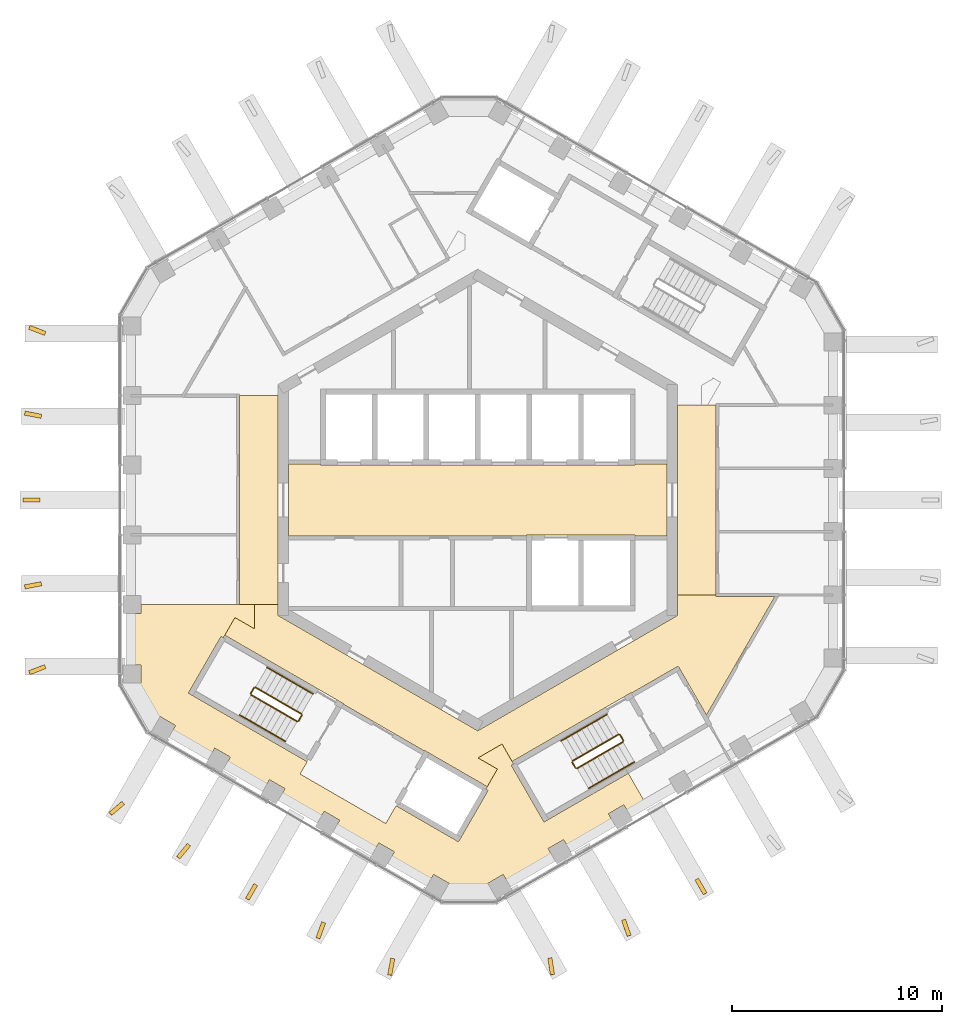
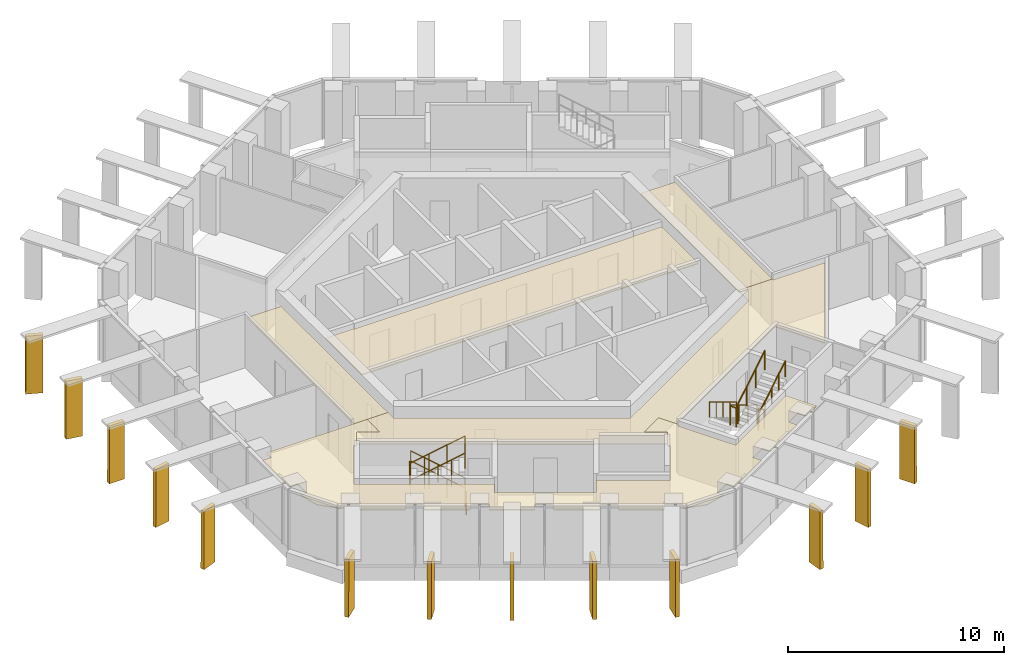
# One storey, part 16 of 18: 16 railings, 13 shading devices, 5 coverings.
"""IFC4 building model written with IfcOpenShell, lengths in metres."""

from ifc_helpers import new_model, si_unit, direction, frame, origin, origin_2d, place, context, subcontext, project, spatial, polyline, circle, outline, extrude, material, layer, layer_set, type_object, element, save


model = new_model("IFC4")

# Units and contexts
model_context = context("Model", 3, precision=1e-05, world=origin(), true_north=direction((0.0, 1.0)))
body_context = subcontext(model_context, "Body", "Model", "MODEL_VIEW")
ifc_project = project(units=[si_unit("LENGTHUNIT", "METRE"), si_unit("AREAUNIT", "SQUARE_METRE"), si_unit("VOLUMEUNIT", "CUBIC_METRE"), si_unit("PLANEANGLEUNIT", "RADIAN"), si_unit("MASSUNIT", "GRAM", prefix="KILO")], contexts=[model_context])

# Site, building, storey
site_placement = place(None, origin())
site = spatial("IfcSite", under=ifc_project, at=site_placement, CompositionType="ELEMENT")
building_placement = place(site_placement, origin())
building = spatial("IfcBuilding", under=site, at=building_placement, Name="Ayvan Gate Tower", CompositionType="ELEMENT")
storey_placement = place(building_placement, frame((0.0, 0.0, 242.699951171875)))
storey = spatial("IfcBuildingStorey", under=building, at=storey_placement, Name="L65", CompositionType="ELEMENT", Elevation=242.699951171875)

# Coverings
ifc_material_1 = material(Name="Plasterboard suspended ceiling")
ifc_layer_1 = layer(ifc_material_1, 0.050048828125)
ifc_layer_set_1 = layer_set([ifc_layer_1], Name="Plasterboard suspended ceiling")
covering_type = type_object("IfcCoveringType", Name="CT-SUSP-50", PredefinedType="CEILING", material=ifc_layer_set_1)
covering_1_placement = place(storey_placement, frame((0.0, 0.0, 2.699951171875)))
element("IfcCovering", 1, at=covering_1_placement, inside=storey, type_object=covering_type, Name="Ceiling Lift Lobby L65", PredefinedType="CEILING", context=body_context, shape_type="SweptSolid", body=[
    extrude(outline(polyline([(7.47509765625, -1.675048828125), (2.324951171875, -1.675048828125), (2.324951171875, -1.699951171875), (-9.0, -1.699951171875), (-9.0, 1.699951171875), (-7.47509765625, 1.699951171875), (-7.47509765625, 1.675048828125), (7.47509765625, 1.675048828125), (7.47509765625, 1.699951171875), (9.0, 1.699951171875), (9.0, -1.699951171875), (7.47509765625, -1.699951171875), (7.47509765625, -1.675048828125)])), origin(), (0.0, 0.0, 1.0), 0.050048828125),
])
covering_2_placement = place(storey_placement, frame((0.0, 0.0, 2.699951171875)))
element("IfcCovering", 2, at=covering_2_placement, inside=storey, type_object=covering_type, Name="Ceiling Gallery L65", PredefinedType="CEILING", context=body_context, shape_type="SweptSolid", body=[
    extrude(outline(polyline([(-4.66748046875, -8.27490234375), (0.0, -10.9697265625), (4.66748046875, -8.27490234375), (8.38720703125, -6.127197265625), (9.5, -5.48486328125), (9.5, -4.52294921875), (11.324951171875, -4.52294921875), (11.324951171875, -4.597900390625), (14.11279296875, -4.597900390625), (10.8662109375, -10.220947265625), (9.623779296875, -8.069091796875), (9.52392578125, -7.89599609375), (7.2939453125, -9.183349609375), (7.281494140625, -9.16162109375), (1.630615234375, -12.42431640625), (1.153076171875, -11.59716796875), (0.010009765625, -12.257080078125), (0.930419921875, -12.78857421875), (0.447998046875, -13.624267578125), (-2.284423828125, -12.046630859375), (-2.518310546875, -11.91162109375), (-2.53076171875, -11.933349609375), (-6.384521484375, -9.70849609375), (-6.3720703125, -9.686767578125), (-12.02294921875, -6.42431640625), (-11.540283203125, -5.58837890625), (-10.6201171875, -6.119873046875), (-10.6201171875, -4.95458984375), (-9.5, -4.95458984375), (-9.5, -5.48486328125), (-4.66748046875, -8.27490234375)])), origin(), (0.0, 0.0, 1.0), 0.050048828125),
])
covering_3_placement = place(storey_placement, frame((0.0, 0.0, 2.699951171875)))
element("IfcCovering", 3, at=covering_3_placement, inside=storey, type_object=covering_type, Name="Ceiling Lift Lounge Lobby L65", PredefinedType="CEILING", context=body_context, shape_type="SweptSolid", body=[
    extrude(outline(polyline([(11.324951171875, -4.52294921875), (9.5, -4.52294921875), (9.5, 4.52294921875), (11.324951171875, 4.52294921875), (11.324951171875, -4.447998046875), (11.324951171875, -4.447998046875), (11.324951171875, -4.52294921875)])), origin(), (0.0, 0.0, 1.0), 0.050048828125),
])
covering_4_placement = place(storey_placement, frame((0.0, 0.0, 2.699951171875)))
element("IfcCovering", 4, at=covering_4_placement, inside=storey, type_object=covering_type, Name="Ceiling Lift Lounge Lobby L65", PredefinedType="CEILING", context=body_context, shape_type="SweptSolid", body=[
    extrude(outline(polyline([(-11.324951171875, 4.95458984375), (-9.5, 4.95458984375), (-9.5, -4.95458984375), (-11.324951171875, -4.95458984375), (-11.324951171875, 4.95458984375)])), origin(), (0.0, 0.0, 1.0), 0.050048828125),
])
covering_5_placement = place(storey_placement, frame((0.0, 0.0, 2.699951171875)))
element("IfcCovering", 5, at=covering_5_placement, inside=storey, type_object=covering_type, Name="Ceiling Social Lounge L65", PredefinedType="CEILING", context=body_context, shape_type="SweptSolid", body=[
    extrude(outline(polyline([(-13.53955078125, -9.301513671875), (-8.106201171875, -12.438232421875), (-8.444091796875, -13.023681640625), (-4.3720703125, -15.374755859375), (-3.88427734375, -14.529541015625), (-0.9189453125, -16.24169921875), (-0.803955078125, -16.042236328125), (0.483642578125, -13.812255859375), (0.376220703125, -13.750244140625), (0.38671875, -13.732177734375), (0.931640625, -12.7880859375), (0.011962890625, -12.257080078125), (1.152587890625, -11.5986328125), (1.691650390625, -12.531982421875), (1.7021484375, -12.55029296875), (1.5947265625, -12.6123046875), (3.147216796875, -15.30126953125), (3.346435546875, -15.186279296875), (7.15185546875, -12.9892578125), (7.975341796875, -14.415771484375), (7.1708984375, -14.880126953125), (6.943603515625, -14.486572265625), (6.20751953125, -14.91162109375), (6.434814453125, -15.30517578125), (4.30419921875, -16.53515625), (4.076904296875, -16.141357421875), (3.3408203125, -16.56640625), (3.568115234375, -16.960205078125), (1.437744140625, -18.190185546875), (1.21044921875, -17.79638671875), (0.474365234375, -18.221435546875), (0.642333984375, -18.5126953125), (-0.415283203125, -18.7958984375), (-1.524658203125, -18.498779296875), (-1.364501953125, -18.221435546875), (-2.1005859375, -17.79638671875), (-2.313232421875, -18.16455078125), (-4.176513671875, -17.088623046875), (-3.964111328125, -16.720703125), (-4.7001953125, -16.295654296875), (-4.91259765625, -16.663818359375), (-6.77587890625, -15.587890625), (-6.5634765625, -15.2197265625), (-7.299560546875, -14.794921875), (-7.51220703125, -15.162841796875), (-9.37548828125, -14.087158203125), (-9.162841796875, -13.718994140625), (-9.89892578125, -13.2939453125), (-10.111572265625, -13.662109375), (-11.974853515625, -12.586181640625), (-11.762451171875, -12.21826171875), (-12.49853515625, -11.793212890625), (-12.7109375, -12.161376953125), (-14.57421875, -11.08544921875), (-14.36181640625, -10.71728515625), (-15.097900390625, -10.29248046875), (-15.258056640625, -10.56982421875), (-16.070068359375, -9.7578125), (-16.353515625, -8.699951171875), (-16.017333984375, -8.699951171875), (-16.017333984375, -7.849853515625), (-16.47216796875, -7.849853515625), (-16.47216796875, -5.389892578125), (-16.017333984375, -5.389892578125), (-16.017333984375, -4.955810546875), (-10.62109375, -4.955810546875), (-10.62109375, -6.1181640625), (-11.540771484375, -5.587158203125), (-12.09619140625, -6.54931640625), (-12.20361328125, -6.4873046875), (-13.756103515625, -9.17626953125), (-13.53955078125, -9.30126953125), (-13.53955078125, -9.301513671875)])), origin(), (0.0, 0.0, 1.0), 0.050048828125),
])

# Shading devices
ifc_material_2 = material(Name="Bronze anodised aluminium", Category="aluminium")
ifc_layer_2 = layer(ifc_material_2, 0.199951171875)
ifc_layer_set_2 = layer_set([ifc_layer_2], Name="Bronze anodised aluminium")
shading_device_type = type_object("IfcShadingDeviceType", Name="Crown frame rib 800 x 200", PredefinedType="USERDEFINED", material=ifc_layer_set_2)
shading_device_1_placement = place(storey_placement, frame((-20.530517578125, 8.012939453125, 0.0), z_axis=(0.359469754605, 0.933156629527, 0.000447541994), x_axis=(-0.93315672298, 0.359469790605, 0.0)))
element("IfcShadingDevice", 6, at=shading_device_1_placement, inside=storey, type_object=shading_device_type, Name="CROWN FRAME rib FR03.4.1", ObjectType="FIN", PredefinedType="USERDEFINED", context=body_context, shape_type="SweptSolid", body=[
    extrude(outline(polyline([(0.0, 0.0), (0.8000607109875282, -1.3552527156068805e-20), (0.7916463657921464, 3.280029625359876), (-0.008414345195381881, 3.280029625359876), (0.0, 0.0)])), origin(), (0.0, 0.0, -1.0), 0.199951171875),
])
shading_device_2_placement = place(storey_placement, frame((-20.728759765625, 4.0771484375, 0.0), z_axis=(0.188304007129, 0.982110688721, 0.000442717085), x_axis=(-0.982110784967, 0.188304025583, 0.0)))
element("IfcShadingDevice", 7, at=shading_device_2_placement, inside=storey, type_object=shading_device_type, Name="CROWN FRAME rib FR03.4.2", ObjectType="FIN", PredefinedType="USERDEFINED", context=body_context, shape_type="SweptSolid", body=[
    extrude(outline(polyline([(0.0, 0.0), (0.7999551000512035, 0.0), (0.7919704607345573, 3.2800296183153232), (-0.007984639316646109, 3.2800296183153232), (0.0, 0.0)])), origin(), (0.0, 0.0, -1.0), 0.199951171875),
])
shading_device_3_placement = place(storey_placement, frame((-20.813720703125, 0.099853515625, 0.0), z_axis=(0.0, 0.999999900277, 0.000446594671), x_axis=(-1.0, 0.0, 0.0)))
element("IfcShadingDevice", 8, at=shading_device_3_placement, inside=storey, type_object=shading_device_type, Name="CROWN FRAME rib FR03.4.3", ObjectType="FIN", PredefinedType="USERDEFINED", context=body_context, shape_type="SweptSolid", body=[
    extrude(outline(polyline([(0.0, 0.0), (0.800048828125, 0.0), (0.79248046875, 3.280029623970722), (-0.007568359375, 3.280029623970722), (0.0, 0.0)])), origin(), (0.0, 0.0, -1.0), 0.199951171875),
])
shading_device_4_placement = place(storey_placement, frame((-20.766357421875, -3.880859375, 0.0), z_axis=(-0.188451187738, 0.982082465008, 0.000426337772), x_axis=(-0.982082554256, -0.188451204892, 6.3888e-08)))
element("IfcShadingDevice", 9, at=shading_device_4_placement, inside=storey, type_object=shading_device_type, Name="CROWN FRAME rib FR03.4.4", ObjectType="FIN", PredefinedType="USERDEFINED", context=body_context, shape_type="SweptSolid", body=[
    extrude(outline(polyline([(0.0, 0.0), (0.8000010996631616, 0.0), (0.7920430144199427, 3.2800295443682232), (-0.007912076648274364, 3.280029646586692), (0.0, 0.0)])), origin(), (0.0, 0.0, -1.0), 0.199951171875),
])
shading_device_5_placement = place(storey_placement, frame((-20.6025390625, -7.826416015625, 0.0), z_axis=(-0.359336876853, 0.93320778719, 0.000484625238), x_axis=(-0.933207896765, -0.359336919081, 6.9004e-08)))
element("IfcShadingDevice", 10, at=shading_device_5_placement, inside=storey, type_object=shading_device_type, Name="CROWN FRAME rib FR03.4.5", ObjectType="FIN", PredefinedType="USERDEFINED", context=body_context, shape_type="SweptSolid", body=[
    extrude(outline(polyline([(0.0, 0.0), (0.8000607028774716, 0.0), (0.7914726394601074, 3.2800296274371386), (-0.008500334677354152, 3.280029737845172), (0.0, 0.0)])), origin(), (0.0, 0.0, -1.0), 0.199951171875),
])
shading_device_6_placement = place(storey_placement, frame((-16.92138671875, -14.3232421875, 0.0), z_axis=(-0.649621792989, 0.760257404903, 0.000452066512), x_axis=(-0.760257482603, -0.649621859351, -5.2452e-08)))
element("IfcShadingDevice", 11, at=shading_device_6_placement, inside=storey, type_object=shading_device_type, Name="CROWN FRAME rib FR03.5.1", ObjectType="FIN", PredefinedType="USERDEFINED", context=body_context, shape_type="SweptSolid", body=[
    extrude(outline(polyline([(0.0, 0.0), (0.7998527113921328, -2.710505431213761e-20), (0.7912438539401772, 3.280029673537646), (-0.008767456538711265, 3.280029589621381), (0.0, 0.0)])), origin(), (0.0, 0.0, -1.0), 0.199951171875),
])
shading_device_7_placement = place(storey_placement, frame((-13.8046875, -16.32177734375, 0.0), z_axis=(-0.766617832833, 0.642103471449, 0.000479932323), x_axis=(-0.642103545399, -0.766617921123, 0.0)))
element("IfcShadingDevice", 12, at=shading_device_7_placement, inside=storey, type_object=shading_device_type, Name="CROWN FRAME rib FR03.5.2", ObjectType="FIN", PredefinedType="USERDEFINED", context=body_context, shape_type="SweptSolid", body=[
    extrude(outline(polyline([(0.0, 0.0), (0.7999829290476004, 0.0), (0.7919766623181221, 3.280029674627895), (-0.008006266729478264, 3.280029674627895), (0.0, 0.0)])), origin(), (0.0, 0.0, -1.0), 0.199951171875),
])
shading_device_8_placement = place(storey_placement, frame((-10.641845703125, -18.232177734375, 0.0), z_axis=(-0.866027965094, 0.499995356169, 0.000455505571), x_axis=(-0.499995408016, -0.866028054952, 6.0193e-08)))
element("IfcShadingDevice", 13, at=shading_device_8_placement, inside=storey, type_object=shading_device_type, Name="CROWN FRAME rib FR03.5.3", ObjectType="FIN", PredefinedType="USERDEFINED", context=body_context, shape_type="SweptSolid", body=[
    extrude(outline(polyline([(0.0, 0.0), (0.7999951411821995, 2.710505431213761e-20), (0.792146069833364, 3.2800295894721225), (-0.007971140540245612, 3.2800296857882114), (0.0, 0.0)])), origin(), (0.0, 0.0, -1.0), 0.199951171875),
])
shading_device_9_placement = place(storey_placement, frame((-7.42041015625, -20.047607421875, 0.0), z_axis=(-0.939329133735, 0.343016876647, 0.000448165676), x_axis=(-0.343016911094, -0.939329228068, 0.0)))
element("IfcShadingDevice", 14, at=shading_device_9_placement, inside=storey, type_object=shading_device_type, Name="CROWN FRAME rib FR03.5.4", ObjectType="FIN", PredefinedType="USERDEFINED", context=body_context, shape_type="SweptSolid", body=[
    extrude(outline(polyline([(0.0, 0.0), (0.8000015556797161, -1.3552527156068805e-20), (0.7919273771878743, 3.280029626276047), (-0.008074178491841723, 3.280029626276047), (0.0, 0.0)])), origin(), (0.0, 0.0, -1.0), 0.199951171875),
])
shading_device_10_placement = place(storey_placement, frame((-4.14013671875, -21.779541015625, 0.0), z_axis=(-0.983236341521, 0.182335106784, 0.000453372582), x_axis=(-0.182335125493, -0.983236442577, 6.8019e-08)))
element("IfcShadingDevice", 15, at=shading_device_10_placement, inside=storey, type_object=shading_device_type, Name="CROWN FRAME rib FR03.5.5", ObjectType="FIN", PredefinedType="USERDEFINED", context=body_context, shape_type="SweptSolid", body=[
    extrude(outline(polyline([(0.0, 0.0), (0.8000102265386648, 0.0), (0.7913146340768397, 3.280029580150536), (-0.008740107873322458, 3.280029688984727), (0.0, 0.0)])), origin(), (0.0, 0.0, -1.0), 0.199951171875),
])
shading_device_11_placement = place(storey_placement, frame((3.325927734375, -21.78662109375, 0.0), z_axis=(-0.987861657554, -0.155335676149, 0.000416232552), x_axis=(0.155335689605, -0.987861743127, 0.0)))
element("IfcShadingDevice", 16, at=shading_device_11_placement, inside=storey, type_object=shading_device_type, Name="CROWN FRAME rib FR03.6.1", ObjectType="FIN", PredefinedType="USERDEFINED", context=body_context, shape_type="SweptSolid", body=[
    extrude(outline(polyline([(0.0, 0.0), (0.7999937325470513, 0.0), (0.7913113539453448, 3.2800295810068167), (-0.008682378601706488, 3.2800295810068167), (0.0, 0.0)])), origin(), (0.0, 0.0, -1.0), 0.199951171875),
])
shading_device_12_placement = place(storey_placement, frame((6.83349609375, -19.990234375, 0.0), z_axis=(-0.944657153829, -0.328058937285, 0.000442026773), x_axis=(0.328058969344, -0.944657246113, 2.213e-08)))
element("IfcShadingDevice", 17, at=shading_device_12_placement, inside=storey, type_object=shading_device_type, Name="CROWN FRAME rib FR03.6.2", ObjectType="FIN", PredefinedType="USERDEFINED", context=body_context, shape_type="SweptSolid", body=[
    extrude(outline(polyline([(0.0, 0.0), (0.7998968673738162, -1.3552527156068805e-20), (0.7921163426157273, 3.2800295997843474), (-0.008011153968565611, 3.28002963519249), (0.0, 0.0)])), origin(), (0.0, 0.0, -1.0), 0.199951171875),
])
shading_device_13_placement = place(storey_placement, frame((10.3203125, -18.0751953125, 0.0), z_axis=(-0.866027971243, -0.499995359719, 0.000439640275), x_axis=(0.499995408061, -0.866028054925, 5.8088e-08)))
element("IfcShadingDevice", 18, at=shading_device_13_placement, inside=storey, type_object=shading_device_type, Name="CROWN FRAME rib FR03.6.3", ObjectType="FIN", PredefinedType="USERDEFINED", context=body_context, shape_type="SweptSolid", body=[
    extrude(outline(polyline([(0.0, 0.0), (0.8001172103736153, -5.421010862427522e-20), (0.7924316608801559, 3.2800295678322273), (-0.0075634803020381705, 3.2800296607794364), (0.0, 0.0)])), origin(), (0.0, 0.0, -1.0), 0.199951171875),
])

# Railings
ifc_material_3 = material(Name="Stainless steel balustrade", Category="steel")
railing_type_1 = type_object("IfcRailingType", Name="RL-GUARD-1100", PredefinedType="GUARDRAIL", material=ifc_material_3)
railing_1_placement = place(storey_placement, frame((-8.381103515625, -10.16650390625, 0.170166015625)))
element("IfcRailing", 19, at=railing_1_placement, inside=storey, type_object=railing_type_1, Name="L65 STS2 stair guard 1", PredefinedType="GUARDRAIL", context=body_context, shape_type="SweptSolid", body=[
    extrude(circle(Radius=0.02392578125, at=origin_2d()), frame((0.0, 0.0, 1.076171875), z_axis=(-0.740292969978, 0.427413806696, 0.51892557891), x_axis=(-0.500004791531, -0.866022637375, 0.0)), (0.0, 0.0, 1.0), 2.947998046875),
    extrude(circle(Radius=0.02099609375, at=origin_2d()), origin(), (0.0, 0.0, 1.0), 1.052001953125),
    extrude(circle(Radius=0.02099609375, at=origin_2d()), frame((-0.7275390625, 0.419921875, 0.510009765625)), (0.0, 0.0, 1.0), 1.052001953125),
    extrude(circle(Radius=0.02099609375, at=origin_2d()), frame((-1.454833984375, 0.840087890625, 1.019775390625)), (0.0, 0.0, 1.0), 1.052001953125),
    extrude(circle(Radius=0.02099609375, at=origin_2d()), frame((-2.182373046875, 1.260009765625, 1.52978515625)), (0.0, 0.0, 1.0), 1.052001953125),
])
railing_2_placement = place(storey_placement, frame((-10.6318359375, -8.9248046875, 1.699951171875)))
element("IfcRailing", 20, at=railing_2_placement, inside=storey, type_object=railing_type_1, Name="L65 STS2 stair guard 2", PredefinedType="GUARDRAIL", context=body_context, shape_type="SweptSolid", body=[
    extrude(circle(Radius=0.02392578125, at=origin_2d()), frame((0.0, 0.0, 1.076171875), z_axis=(-0.499949632511, -0.866054481515, 0.0), x_axis=(0.866054481515, -0.499949632511, 0.0)), (0.0, 0.0, 1.0), 0.31005859375),
    extrude(circle(Radius=0.02099609375, at=origin_2d()), origin(), (0.0, 0.0, 1.0), 1.052001953125),
    extrude(circle(Radius=0.02099609375, at=origin_2d()), frame((-0.155029296875, -0.2685546875, 0.0)), (0.0, 0.0, 1.0), 1.052001953125),
])
railing_3_placement = place(storey_placement, frame((-10.7685546875, -9.261474609375, 1.8701171875)))
element("IfcRailing", 21, at=railing_3_placement, inside=storey, type_object=railing_type_1, Name="L65 STS2 stair guard 3", PredefinedType="GUARDRAIL", context=body_context, shape_type="SweptSolid", body=[
    extrude(circle(Radius=0.02392578125, at=origin_2d()), frame((0.0, 0.0, 1.076171875), z_axis=(0.740261155115, -0.427395438142, 0.518986090067), x_axis=(0.500004791531, 0.866022637375, 0.0)), (0.0, 0.0, 1.0), 2.947998046875),
    extrude(circle(Radius=0.02099609375, at=origin_2d()), origin(), (0.0, 0.0, 1.0), 1.052001953125),
    extrude(circle(Radius=0.02099609375, at=origin_2d()), frame((0.7275390625, -0.419921875, 0.510009765625)), (0.0, 0.0, 1.0), 1.052001953125),
    extrude(circle(Radius=0.02099609375, at=origin_2d()), frame((1.454833984375, -0.840087890625, 1.02001953125)), (0.0, 0.0, 1.0), 1.052001953125),
    extrude(circle(Radius=0.02099609375, at=origin_2d()), frame((2.182373046875, -1.260009765625, 1.530029296875)), (0.0, 0.0, 1.0), 1.052001953125),
])
railing_4_placement = place(storey_placement, frame((-8.36279296875, -10.23486328125, 0.0)))
element("IfcRailing", 22, at=railing_4_placement, inside=storey, type_object=railing_type_1, Name="L65 STS2 stair guard 4", PredefinedType="GUARDRAIL", context=body_context, shape_type="SweptSolid", body=[
    extrude(circle(Radius=0.02392578125, at=origin_2d()), frame((0.0, 0.0, 1.076171875), z_axis=(-0.500290723946, -0.86585748916, 0.0), x_axis=(0.86585748916, -0.500290723946, 0.0)), (0.0, 0.0, 1.0), 0.309814453125),
    extrude(circle(Radius=0.02099609375, at=origin_2d()), origin(), (0.0, 0.0, 1.0), 1.052001953125),
    extrude(circle(Radius=0.02099609375, at=origin_2d()), frame((-0.155029296875, -0.268310546875, 0.0)), (0.0, 0.0, 1.0), 1.052001953125),
])
railing_5_placement = place(storey_placement, frame((6.6923828125, -11.1416015625, 0.170166015625)))
element("IfcRailing", 23, at=railing_5_placement, inside=storey, type_object=railing_type_1, Name="L65 STS3 stair guard 1", PredefinedType="GUARDRAIL", context=body_context, shape_type="SweptSolid", body=[
    extrude(circle(Radius=0.02392578125, at=origin_2d()), frame((0.0, 0.0, 1.076171875), z_axis=(-0.740292969978, -0.427413806696, 0.51892557891), x_axis=(0.500004791531, -0.866022637375, 0.0)), (0.0, 0.0, 1.0), 2.947998046875),
    extrude(circle(Radius=0.02099609375, at=origin_2d()), origin(), (0.0, 0.0, 1.0), 1.052001953125),
    extrude(circle(Radius=0.02099609375, at=origin_2d()), frame((-0.7275390625, -0.419921875, 0.510009765625)), (0.0, 0.0, 1.0), 1.052001953125),
    extrude(circle(Radius=0.02099609375, at=origin_2d()), frame((-1.454833984375, -0.840087890625, 1.019775390625)), (0.0, 0.0, 1.0), 1.052001953125),
    extrude(circle(Radius=0.02099609375, at=origin_2d()), frame((-2.182373046875, -1.260009765625, 1.52978515625)), (0.0, 0.0, 1.0), 1.052001953125),
])
railing_6_placement = place(storey_placement, frame((4.49169921875, -12.4697265625, 1.699951171875)))
element("IfcRailing", 24, at=railing_6_placement, inside=storey, type_object=railing_type_1, Name="L65 STS3 stair guard 2", PredefinedType="GUARDRAIL", context=body_context, shape_type="SweptSolid", body=[
    extrude(circle(Radius=0.02392578125, at=origin_2d()), frame((0.0, 0.0, 1.076171875), z_axis=(0.499949632511, -0.866054481515, 0.0), x_axis=(0.866054481515, 0.499949632511, 0.0)), (0.0, 0.0, 1.0), 0.31005859375),
    extrude(circle(Radius=0.02099609375, at=origin_2d()), origin(), (0.0, 0.0, 1.0), 1.052001953125),
    extrude(circle(Radius=0.02099609375, at=origin_2d()), frame((0.155029296875, -0.2685546875, 0.0)), (0.0, 0.0, 1.0), 1.052001953125),
])
railing_7_placement = place(storey_placement, frame((4.715087890625, -12.756591796875, 1.8701171875)))
element("IfcRailing", 25, at=railing_7_placement, inside=storey, type_object=railing_type_1, Name="L65 STS3 stair guard 3", PredefinedType="GUARDRAIL", context=body_context, shape_type="SweptSolid", body=[
    extrude(circle(Radius=0.02392578125, at=origin_2d()), frame((0.0, 0.0, 1.076171875), z_axis=(0.740261155115, 0.427395438142, 0.518986090067), x_axis=(-0.500004791531, 0.866022637375, 0.0)), (0.0, 0.0, 1.0), 2.947998046875),
    extrude(circle(Radius=0.02099609375, at=origin_2d()), origin(), (0.0, 0.0, 1.0), 1.052001953125),
    extrude(circle(Radius=0.02099609375, at=origin_2d()), frame((0.7275390625, 0.419921875, 0.510009765625)), (0.0, 0.0, 1.0), 1.052001953125),
    extrude(circle(Radius=0.02099609375, at=origin_2d()), frame((1.454833984375, 0.840087890625, 1.02001953125)), (0.0, 0.0, 1.0), 1.052001953125),
    extrude(circle(Radius=0.02099609375, at=origin_2d()), frame((2.182373046875, 1.260009765625, 1.530029296875)), (0.0, 0.0, 1.0), 1.052001953125),
])
railing_8_placement = place(storey_placement, frame((6.7607421875, -11.159912109375, 0.0)))
element("IfcRailing", 26, at=railing_8_placement, inside=storey, type_object=railing_type_1, Name="L65 STS3 stair guard 4", PredefinedType="GUARDRAIL", context=body_context, shape_type="SweptSolid", body=[
    extrude(circle(Radius=0.02392578125, at=origin_2d()), frame((0.0, 0.0, 1.076171875), z_axis=(0.500290723946, -0.86585748916, 0.0), x_axis=(0.86585748916, 0.500290723946, 0.0)), (0.0, 0.0, 1.0), 0.309814453125),
    extrude(circle(Radius=0.02099609375, at=origin_2d()), origin(), (0.0, 0.0, 1.0), 1.052001953125),
    extrude(circle(Radius=0.02099609375, at=origin_2d()), frame((0.155029296875, -0.268310546875, 0.0)), (0.0, 0.0, 1.0), 1.052001953125),
])
railing_type_2 = type_object("IfcRailingType", Name="RL-HANDRAIL-900", PredefinedType="HANDRAIL", material=ifc_material_3)
railing_9_placement = place(storey_placement, frame((-7.8310546875, -9.2138671875, 0.170166015625)))
element("IfcRailing", 27, at=railing_9_placement, inside=storey, type_object=railing_type_2, Name="L65 STS2 stair handrail 1", PredefinedType="HANDRAIL", context=body_context, shape_type="SweptSolid", body=[
    extrude(circle(Radius=0.02392578125, at=origin_2d()), frame((0.0, 0.0, 0.8759765625), z_axis=(-0.740356597536, 0.427319915356, 0.518912129772), x_axis=(-0.499890179513, -0.866088799389, 0.0)), (0.0, 0.0, 1.0), 1.47412109375),
    extrude(circle(Radius=0.02099609375, at=origin_2d()), origin(), (0.0, 0.0, 1.0), 0.851806640625),
    extrude(circle(Radius=0.02099609375, at=origin_2d()), frame((-0.545654296875, 0.31494140625, 0.38232421875)), (0.0, 0.0, 1.0), 0.851806640625),
    extrude(circle(Radius=0.02099609375, at=origin_2d()), frame((-1.09130859375, 0.6298828125, 0.764892578125)), (0.0, 0.0, 1.0), 0.851806640625),
])
railing_10_placement = place(storey_placement, frame((-8.92236328125, -8.583984375, 0.93505859375)))
element("IfcRailing", 28, at=railing_10_placement, inside=storey, type_object=railing_type_2, Name="L65 STS2 stair handrail 2", PredefinedType="HANDRAIL", context=body_context, shape_type="SweptSolid", body=[
    extrude(circle(Radius=0.02392578125, at=origin_2d()), frame((0.0, 0.0, 0.8759765625), z_axis=(-0.740229329464, 0.427507697325, 0.518939021976), x_axis=(-0.50011940292, -0.865956455501, 0.0)), (0.0, 0.0, 1.0), 1.473876953125),
    extrude(circle(Radius=0.02099609375, at=origin_2d()), origin(), (0.0, 0.0, 1.0), 0.851806640625),
    extrude(circle(Radius=0.02099609375, at=origin_2d()), frame((-0.54541015625, 0.31494140625, 0.38232421875)), (0.0, 0.0, 1.0), 0.851806640625),
    extrude(circle(Radius=0.02099609375, at=origin_2d()), frame((-1.091064453125, 0.630126953125, 0.764892578125)), (0.0, 0.0, 1.0), 0.851806640625),
])
railing_11_placement = place(storey_placement, frame((-11.318603515625, -10.214111328125, 1.8701171875)))
element("IfcRailing", 29, at=railing_11_placement, inside=storey, type_object=railing_type_2, Name="L65 STS2 stair handrail 3", PredefinedType="HANDRAIL", context=body_context, shape_type="SweptSolid", body=[
    extrude(circle(Radius=0.02392578125, at=origin_2d()), frame((0.0, 0.0, 0.8759765625), z_axis=(0.740304193401, -0.427455284825, 0.518875399983), x_axis=(0.500035496587, 0.86600490885, 0.0)), (0.0, 0.0, 1.0), 1.47412109375),
    extrude(circle(Radius=0.02099609375, at=origin_2d()), origin(), (0.0, 0.0, 1.0), 0.851806640625),
    extrude(circle(Radius=0.02099609375, at=origin_2d()), frame((0.545654296875, -0.31494140625, 0.38232421875)), (0.0, 0.0, 1.0), 0.851806640625),
    extrude(circle(Radius=0.02099609375, at=origin_2d()), frame((1.09130859375, -0.630126953125, 0.764892578125)), (0.0, 0.0, 1.0), 0.851806640625),
])
railing_12_placement = place(storey_placement, frame((-10.227294921875, -10.84423828125, 2.635009765625)))
element("IfcRailing", 30, at=railing_12_placement, inside=storey, type_object=railing_type_2, Name="L65 STS2 stair handrail 4", PredefinedType="HANDRAIL", context=body_context, shape_type="SweptSolid", body=[
    extrude(circle(Radius=0.02392578125, at=origin_2d()), frame((0.0, 0.0, 0.8759765625), z_axis=(0.740292964666, -0.42728318766, 0.519033143459), x_axis=(0.499890179513, 0.866088799389, 0.0)), (0.0, 0.0, 1.0), 1.47412109375),
    extrude(circle(Radius=0.02099609375, at=origin_2d()), origin(), (0.0, 0.0, 1.0), 0.851806640625),
    extrude(circle(Radius=0.02099609375, at=origin_2d()), frame((0.545654296875, -0.31494140625, 0.382568359375)), (0.0, 0.0, 1.0), 0.851806640625),
    extrude(circle(Radius=0.02099609375, at=origin_2d()), frame((1.09130859375, -0.6298828125, 0.76513671875)), (0.0, 0.0, 1.0), 0.851806640625),
])
railing_13_placement = place(storey_placement, frame((6.142333984375, -10.18896484375, 0.170166015625)))
element("IfcRailing", 31, at=railing_13_placement, inside=storey, type_object=railing_type_2, Name="L65 STS3 stair handrail 1", PredefinedType="HANDRAIL", context=body_context, shape_type="SweptSolid", body=[
    extrude(circle(Radius=0.02392578125, at=origin_2d()), frame((0.0, 0.0, 0.8759765625), z_axis=(-0.740281741151, -0.427372318678, 0.518975765278), x_axis=(0.499974077718, -0.866040369504, 0.0)), (0.0, 0.0, 1.0), 1.473876953125),
    extrude(circle(Radius=0.02099609375, at=origin_2d()), origin(), (0.0, 0.0, 1.0), 0.851806640625),
    extrude(circle(Radius=0.02099609375, at=origin_2d()), frame((-0.54541015625, -0.31494140625, 0.38232421875)), (0.0, 0.0, 1.0), 0.851806640625),
    extrude(circle(Radius=0.02099609375, at=origin_2d()), frame((-1.091064453125, -0.6298828125, 0.764892578125)), (0.0, 0.0, 1.0), 0.851806640625),
])
railing_14_placement = place(storey_placement, frame((5.05126953125, -10.81884765625, 0.93505859375)))
element("IfcRailing", 32, at=railing_14_placement, inside=storey, type_object=railing_type_2, Name="L65 STS3 stair handrail 2", PredefinedType="HANDRAIL", context=body_context, shape_type="SweptSolid", body=[
    extrude(circle(Radius=0.02392578125, at=origin_2d()), frame((0.0, 0.0, 0.8759765625), z_axis=(-0.740304193401, -0.427455284825, 0.518875399983), x_axis=(0.500035496587, -0.86600490885, 0.0)), (0.0, 0.0, 1.0), 1.47412109375),
    extrude(circle(Radius=0.02099609375, at=origin_2d()), origin(), (0.0, 0.0, 1.0), 0.851806640625),
    extrude(circle(Radius=0.02099609375, at=origin_2d()), frame((-0.545654296875, -0.31494140625, 0.38232421875)), (0.0, 0.0, 1.0), 0.851806640625),
    extrude(circle(Radius=0.02099609375, at=origin_2d()), frame((-1.09130859375, -0.630126953125, 0.764892578125)), (0.0, 0.0, 1.0), 0.851806640625),
])
railing_15_placement = place(storey_placement, frame((5.264892578125, -13.709228515625, 1.8701171875)))
element("IfcRailing", 33, at=railing_15_placement, inside=storey, type_object=railing_type_2, Name="L65 STS3 stair handrail 3", PredefinedType="HANDRAIL", context=body_context, shape_type="SweptSolid", body=[
    extrude(circle(Radius=0.02392578125, at=origin_2d()), frame((0.0, 0.0, 0.8759765625), z_axis=(0.740304193401, 0.427455284825, 0.518875399983), x_axis=(-0.500035496587, 0.86600490885, 0.0)), (0.0, 0.0, 1.0), 1.47412109375),
    extrude(circle(Radius=0.02099609375, at=origin_2d()), origin(), (0.0, 0.0, 1.0), 0.851806640625),
    extrude(circle(Radius=0.02099609375, at=origin_2d()), frame((0.545654296875, 0.31494140625, 0.38232421875)), (0.0, 0.0, 1.0), 0.851806640625),
    extrude(circle(Radius=0.02099609375, at=origin_2d()), frame((1.09130859375, 0.630126953125, 0.764892578125)), (0.0, 0.0, 1.0), 0.851806640625),
])
railing_16_placement = place(storey_placement, frame((6.356201171875, -13.0791015625, 2.635009765625)))
element("IfcRailing", 34, at=railing_16_placement, inside=storey, type_object=railing_type_2, Name="L65 STS3 stair handrail 4", PredefinedType="HANDRAIL", context=body_context, shape_type="SweptSolid", body=[
    extrude(circle(Radius=0.02392578125, at=origin_2d()), frame((0.0, 0.0, 0.8759765625), z_axis=(0.740218099111, 0.427335577468, 0.519096782863), x_axis=(-0.499974077718, 0.866040369504, 0.0)), (0.0, 0.0, 1.0), 1.473876953125),
    extrude(circle(Radius=0.02099609375, at=origin_2d()), origin(), (0.0, 0.0, 1.0), 0.851806640625),
    extrude(circle(Radius=0.02099609375, at=origin_2d()), frame((0.54541015625, 0.31494140625, 0.382568359375)), (0.0, 0.0, 1.0), 0.851806640625),
    extrude(circle(Radius=0.02099609375, at=origin_2d()), frame((1.091064453125, 0.6298828125, 0.76513671875)), (0.0, 0.0, 1.0), 0.851806640625),
])

save(model, "model.ifc")
